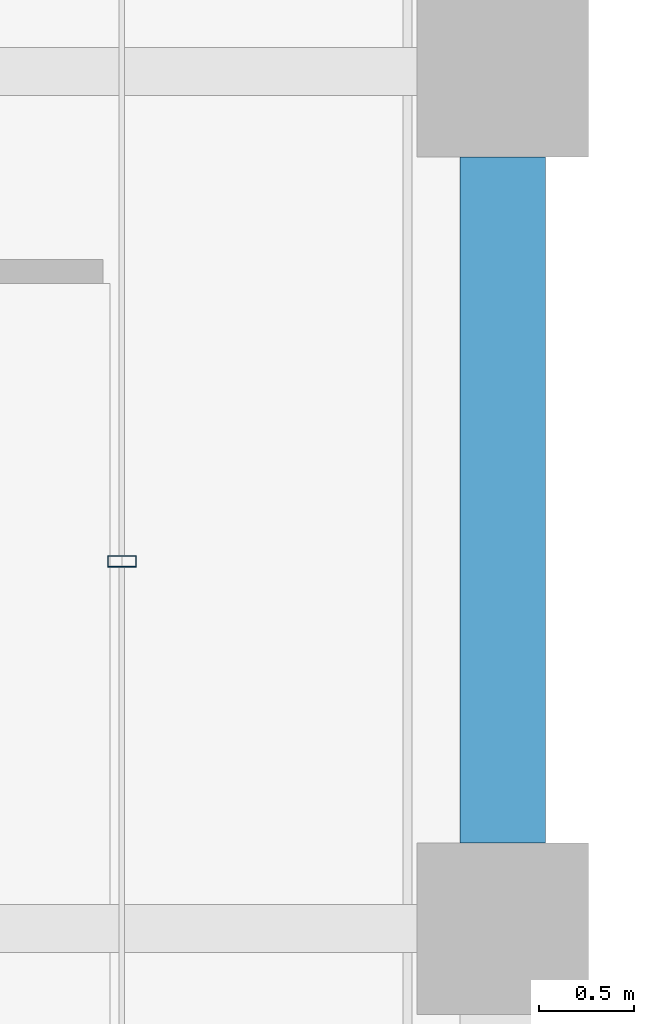
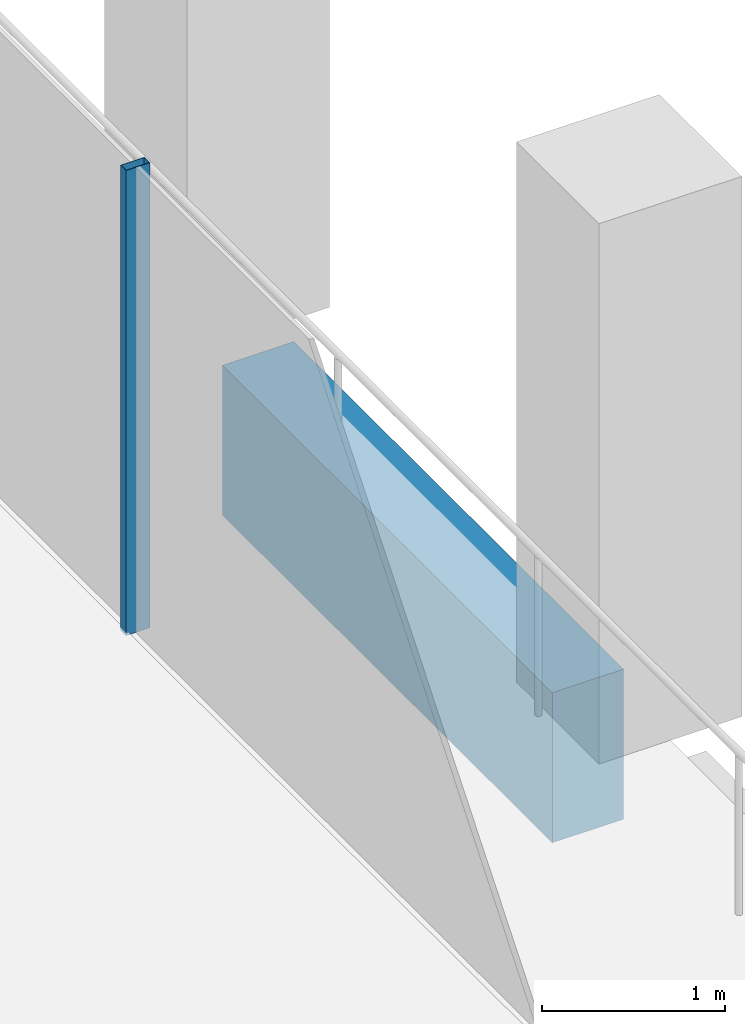
# One storey, part 17 of 40: 1 beam, 1 member, 1 element without a shape of its own.
"""IFC4 building model written with IfcOpenShell, lengths in metres."""

from ifc_helpers import new_model, si_unit, direction, frame, origin, origin_2d, place, context, subcontext, project, spatial, rectangle, hollow_rectangle, extrude, material, material_profile, profile_set, type_object, element, aggregate, save


model = new_model("IFC4")

# Units and contexts
model_context = context("Model", 3, precision=1e-05, world=origin(), true_north=direction((0.0, 1.0)))
body_context = subcontext(model_context, "Body", "Model", "MODEL_VIEW")
ifc_project = project(units=[si_unit("LENGTHUNIT", "METRE"), si_unit("AREAUNIT", "SQUARE_METRE"), si_unit("VOLUMEUNIT", "CUBIC_METRE"), si_unit("PLANEANGLEUNIT", "RADIAN"), si_unit("MASSUNIT", "GRAM", prefix="KILO")], contexts=[model_context])

# Site, building, storey
site_placement = place(None, origin())
site = spatial("IfcSite", under=ifc_project, at=site_placement, CompositionType="ELEMENT")
building_placement = place(site_placement, origin())
building = spatial("IfcBuilding", under=site, at=building_placement, Name="Altepetl Exchange Towers", CompositionType="ELEMENT")
storey_placement = place(building_placement, frame((0.0, 0.0, 158.199951171875)))
storey = spatial("IfcBuildingStorey", under=building, at=storey_placement, Name="L39", CompositionType="ELEMENT", Elevation=158.199951171875)

# Curtain wall, member
ifc_material_1 = material(Name="Aluminium 6063-T6 glazing", Category="aluminium")
curtain_wall_type = type_object("IfcCurtainWallType", Name="Loggia glazing system", PredefinedType="NOTDEFINED", material=ifc_material_1)
curtain_wall_placement = place(storey_placement, origin())
curtain_wall = element("IfcCurtainWall", 1, at=curtain_wall_placement, inside=storey, type_object=curtain_wall_type, Name="CW1 run", PredefinedType="NOTDEFINED")
ifc_material_2 = material(Name="Aluminium 6063-T6", Category="aluminium")
ifc_material_profile_1 = material_profile(ifc_material_2, hollow_rectangle(XDim=0.06005859375, YDim=0.14990234375, WallThickness=0.0029296875, at=origin_2d()), Name="Mullion 60x150 aluminium")
ifc_profile_set_1 = profile_set([ifc_material_profile_1], Name="Aluminium 6063-T6")
member_type = type_object("IfcMemberType", Name="Mullion 60x150 aluminium", PredefinedType="MULLION", material=ifc_profile_set_1)
member_placement = place(storey_placement, frame((70.0, 46.927978515625, 0.0), z_axis=(0.0, 0.0, 1.0), x_axis=(0.0, 1.0, 0.0)))
member = element("IfcMember", 2, at=member_placement, type_object=member_type, Name="MU1 mullion", PredefinedType="MULLION", context=body_context, shape_type="SweptSolid", body=[
    extrude(hollow_rectangle(XDim=0.06005859375, YDim=0.14990234375, WallThickness=0.0029296875, at=origin_2d()), origin(), (0.0, 0.0, 1.0), 3.10009765625),
])
aggregate(curtain_wall, [member])

# Beam
ifc_material_3 = material(Name="Concrete C50/60 precast with cantera amarilla facing", Category="concrete")
ifc_material_profile_2 = material_profile(ifc_material_3, rectangle(XDim=0.449951171875, YDim=1.0, at=origin_2d()), Name="450 x 1000")
ifc_profile_set_2 = profile_set([ifc_material_profile_2], Name="Concrete C50/60 precast with cantera amarilla facing")
beam_type = type_object("IfcBeamType", Name="Spandrel beam 450x1000 cantera amarilla", PredefinedType="SPANDREL", material=ifc_profile_set_2)
beam_placement = place(storey_placement, frame((72.0, 45.449951171875, -0.64990234375), z_axis=(0.0, 1.0, 0.0), x_axis=(-1.0, 0.0, 0.0)))
element("IfcBeam", 3, at=beam_placement, inside=storey, type_object=beam_type, Name="sp:A:L39:015", PredefinedType="SPANDREL", context=body_context, shape_type="SweptSolid", body=[
    extrude(rectangle(XDim=0.449951171875, YDim=1.0, at=origin_2d()), origin(), (0.0, 0.0, 1.0), 3.60009765625),
])

save(model, "model.ifc")
